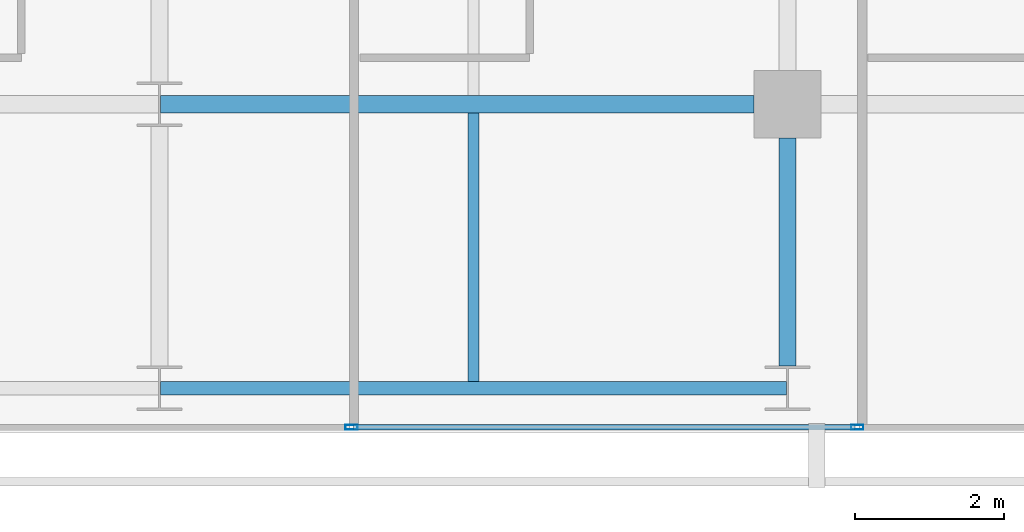
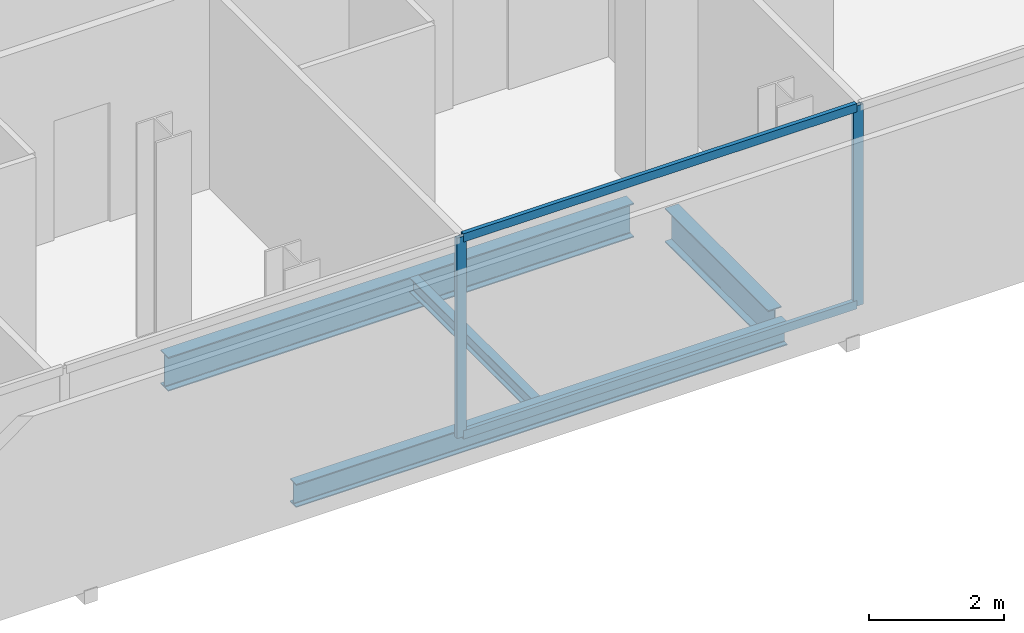
# One storey, part 12 of 33: 4 beams, 4 members, 1 element without a shape of its own.
"""IFC4 building model written with IfcOpenShell, lengths in metres."""

from ifc_helpers import new_model, si_unit, direction, frame, origin, origin_2d, place, context, subcontext, project, spatial, hollow_rectangle, i_section, extrude, material, layer, layer_set, material_profile, profile_set, type_object, element, aggregate, save


model = new_model("IFC4")

# Units and contexts
model_context = context("Model", 3, precision=1e-05, world=origin(), true_north=direction((0.0, 1.0)))
body_context = subcontext(model_context, "Body", "Model", "MODEL_VIEW")
ifc_project = project(units=[si_unit("LENGTHUNIT", "METRE"), si_unit("AREAUNIT", "SQUARE_METRE"), si_unit("VOLUMEUNIT", "CUBIC_METRE"), si_unit("PLANEANGLEUNIT", "RADIAN"), si_unit("MASSUNIT", "GRAM", prefix="KILO")], contexts=[model_context])

# Site, building, storey
site_placement = place(None, origin())
site = spatial("IfcSite", under=ifc_project, at=site_placement, CompositionType="ELEMENT")
building_placement = place(site_placement, origin())
building = spatial("IfcBuilding", under=site, at=building_placement, Name="Maruvema Waterfront Hotel and Observation Tower", CompositionType="ELEMENT")
storey_placement = place(building_placement, frame((0.0, 0.0, 154.35009765625)))
storey = spatial("IfcBuildingStorey", under=building, at=storey_placement, Name="L37", CompositionType="ELEMENT", Elevation=154.35009765625)

# Curtain wall, members
ifc_material_1 = material(Name="Anodised bronze aluminium and solar-control low-E IGU", Category="aluminium")
ifc_layer = layer(ifc_material_1, 0.159912109375, Name="Zone 2 Amber Inner Thermal Curtain Wall System CW-03")
ifc_layer_set = layer_set([ifc_layer], Name="Anodised bronze aluminium and solar-control low-E IGU")
curtain_wall_type = type_object("IfcCurtainWallType", Name="Zone 2 Amber Inner Thermal Curtain Wall System CW-03", PredefinedType="USERDEFINED", material=ifc_layer_set)
curtain_wall_placement = place(storey_placement, origin())
curtain_wall = element("IfcCurtainWall", 1, at=curtain_wall_placement, inside=storey, type_object=curtain_wall_type, Name="L37 Curtain Wall CW-L37-S", ObjectType="UNITISED CURTAIN WALL", PredefinedType="USERDEFINED")
ifc_material_2 = material(Name="Anodised architectural bronze aluminium", Category="aluminium")
ifc_material_profile_1 = material_profile(ifc_material_2, hollow_rectangle(XDim=0.070068359375, YDim=0.14990234375, WallThickness=0.00390625, at=origin_2d()), Name="ALU-T70x150")
ifc_profile_set_1 = profile_set([ifc_material_profile_1], Name="Anodised architectural bronze aluminium")
member_type_1 = type_object("IfcMemberType", Name="Curtain Wall Horizontal Transom ALU-T70x150", PredefinedType="USERDEFINED", material=ifc_profile_set_1)
member_1_placement = place(storey_placement, frame((44.5966796875, 4.679931640625, 0.02978515625), z_axis=(1.0, 0.0, 0.0), x_axis=(0.0, 1.0, 0.0)))
member_1 = element("IfcMember", 2, at=member_1_placement, type_object=member_type_1, Name="CW-03 transom 5.1", ObjectType="TRANSOM", PredefinedType="USERDEFINED", context=body_context, shape_type="SweptSolid", body=[
    extrude(hollow_rectangle(XDim=0.070068359375, YDim=0.14990234375, WallThickness=0.00390625, at=origin_2d()), origin(), (0.0, 0.0, 1.0), 6.70654296875),
])
member_2_placement = place(storey_placement, frame((44.5966796875, 4.679931640625, 3.579833984375), z_axis=(1.0, 0.0, 0.0), x_axis=(0.0, 1.0, 0.0)))
member_2 = element("IfcMember", 3, at=member_2_placement, type_object=member_type_1, Name="CW-03 transom 5.2", ObjectType="TRANSOM", PredefinedType="USERDEFINED", context=body_context, shape_type="SweptSolid", body=[
    extrude(hollow_rectangle(XDim=0.070068359375, YDim=0.14990234375, WallThickness=0.00390625, at=origin_2d()), origin(), (0.0, 0.0, 1.0), 6.70654296875),
])
ifc_material_3 = material(Name="Anodised architectural bronze aluminium", Category="aluminium")
ifc_material_profile_2 = material_profile(ifc_material_3, hollow_rectangle(XDim=0.06494140625, YDim=0.1650390625, WallThickness=0.00390625, at=origin_2d()), Name="ALU-M65x165")
ifc_profile_set_2 = profile_set([ifc_material_profile_2], Name="Anodised architectural bronze aluminium")
member_type_2 = type_object("IfcMemberType", Name="Curtain Wall Primary Mullion ALU-M65x165", PredefinedType="MULLION", material=ifc_profile_set_2)
member_3_placement = place(storey_placement, frame((44.566650390625, 4.679931640625, 0.0), z_axis=(0.0, 0.0, 1.0), x_axis=(0.0, 1.0, 0.0)))
member_3 = element("IfcMember", 4, at=member_3_placement, type_object=member_type_2, Name="CW-03 mullion 5", PredefinedType="MULLION", context=body_context, shape_type="SweptSolid", body=[
    extrude(hollow_rectangle(XDim=0.06494140625, YDim=0.1650390625, WallThickness=0.00390625, at=origin_2d()), origin(), (0.0, 0.0, 1.0), 3.60986328125),
])
member_4_placement = place(storey_placement, frame((51.333251953125, 4.679931640625, 0.0), z_axis=(0.0, 0.0, 1.0), x_axis=(0.0, 1.0, 0.0)))
member_4 = element("IfcMember", 5, at=member_4_placement, type_object=member_type_2, Name="CW-03 mullion 6", PredefinedType="MULLION", context=body_context, shape_type="SweptSolid", body=[
    extrude(hollow_rectangle(XDim=0.06494140625, YDim=0.1650390625, WallThickness=0.00390625, at=origin_2d()), origin(), (0.0, 0.0, 1.0), 3.60986328125),
])
aggregate(curtain_wall, [member_3, member_4, member_1, member_2])

# Beams
ifc_material_4 = material(Name="Steel ASTM A572 Grade 50", Category="steel")
ifc_material_profile_3 = material_profile(ifc_material_4, i_section(OverallWidth=0.180908203125, OverallDepth=0.4169921875, WebThickness=0.010986328125, FlangeThickness=0.018310546875, FilletRadius=0.014892578125, at=origin_2d()), Name="W410x85.0")
ifc_profile_set_3 = profile_set([ifc_material_profile_3], Name="Steel ASTM A572 Grade 50")
beam_type_1 = type_object("IfcBeamType", Name="Perimeter Spandrel Beam W410x85.0", PredefinedType="SPANDREL", material=ifc_profile_set_3)
beam_1_placement = place(storey_placement, frame((42.012451171875, 5.199951171875, -0.448486328125), z_axis=(1.0, 0.0, 0.0), x_axis=(0.0, 1.0, 0.0)))
element("IfcBeam", 6, at=beam_1_placement, inside=storey, type_object=beam_type_1, Name="L37 Floor Girder EW-03", PredefinedType="SPANDREL", context=body_context, shape_type="SweptSolid", body=[
    extrude(i_section(OverallWidth=0.180908203125, OverallDepth=0.4169921875, WebThickness=0.010986328125, FlangeThickness=0.018310546875, FilletRadius=0.014892578125, at=origin_2d()), origin(), (0.0, 0.0, 1.0), 8.375),
])
ifc_material_5 = material(Name="Steel ASTM A572 Grade 50", Category="steel")
ifc_material_profile_4 = material_profile(ifc_material_5, i_section(OverallWidth=0.22900390625, OverallDepth=0.612060546875, WebThickness=0.011962890625, FlangeThickness=0.01953125, FilletRadius=0.01806640625, at=origin_2d()), Name="W610x125.0")
ifc_profile_set_4 = profile_set([ifc_material_profile_4], Name="Steel ASTM A572 Grade 50")
beam_type_2 = type_object("IfcBeamType", Name="Primary Floor Girder W610x125.0", PredefinedType="BEAM", material=ifc_profile_set_4)
beam_2_placement = place(storey_placement, frame((42.012451171875, 9.0, -0.546142578125), z_axis=(1.0, 0.0, 0.0), x_axis=(0.0, 1.0, 0.0)))
element("IfcBeam", 7, at=beam_2_placement, inside=storey, type_object=beam_type_2, Name="L37 Floor Girder EW-08", PredefinedType="BEAM", context=body_context, shape_type="SweptSolid", body=[
    extrude(i_section(OverallWidth=0.22900390625, OverallDepth=0.612060546875, WebThickness=0.011962890625, FlangeThickness=0.01953125, FilletRadius=0.01806640625, at=origin_2d()), origin(), (0.0, 0.0, 1.0), 7.9375),
])
beam_3_placement = place(storey_placement, frame((50.39990234375, 5.5, -0.546142578125), z_axis=(0.0, 1.0, 0.0), x_axis=(-1.0, 0.0, 0.0)))
element("IfcBeam", 8, at=beam_3_placement, inside=storey, type_object=beam_type_2, Name="L37 Floor Girder NS-20", PredefinedType="BEAM", context=body_context, shape_type="SweptSolid", body=[
    extrude(i_section(OverallWidth=0.22900390625, OverallDepth=0.612060546875, WebThickness=0.011962890625, FlangeThickness=0.01953125, FilletRadius=0.01806640625, at=origin_2d()), origin(), (0.0, 0.0, 1.0), 3.050048828125),
])
ifc_material_6 = material(Name="Steel ASTM A572 Grade 50", Category="steel")
ifc_material_profile_5 = material_profile(ifc_material_6, i_section(OverallWidth=0.14794921875, OverallDepth=0.26611328125, WebThickness=0.007568359375, FlangeThickness=0.012939453125, FilletRadius=0.012939453125, at=origin_2d()), Name="W250x44.8")
ifc_profile_set_5 = profile_set([ifc_material_profile_5], Name="Steel ASTM A572 Grade 50")
beam_type_3 = type_object("IfcBeamType", Name="Secondary Floor Joist W250x44.8", PredefinedType="JOIST", material=ifc_profile_set_5)
beam_4_placement = place(storey_placement, frame((46.199951171875, 5.29052734375, -0.373046875), z_axis=(0.0, 1.0, 0.0), x_axis=(-1.0, 0.0, 0.0)))
element("IfcBeam", 9, at=beam_4_placement, inside=storey, type_object=beam_type_3, Name="L37 Secondary Floor Joist JS-09", PredefinedType="JOIST", context=body_context, shape_type="SweptSolid", body=[
    extrude(i_section(OverallWidth=0.14794921875, OverallDepth=0.26611328125, WebThickness=0.007568359375, FlangeThickness=0.012939453125, FilletRadius=0.012939453125, at=origin_2d()), origin(), (0.0, 0.0, 1.0), 3.594970703125),
])

save(model, "model.ifc")
